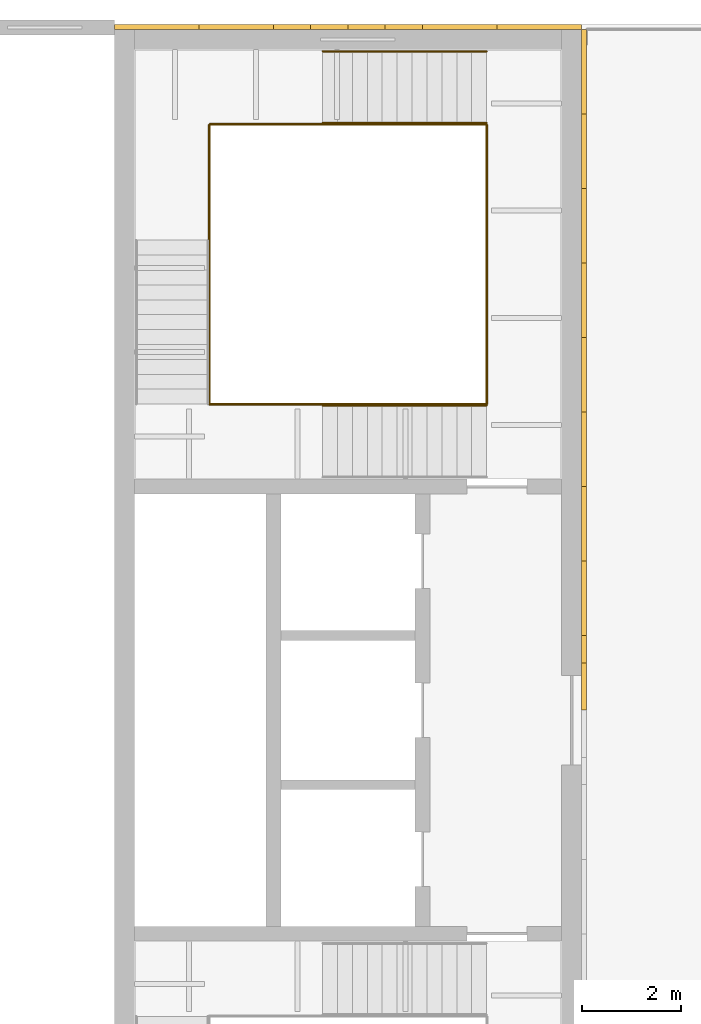
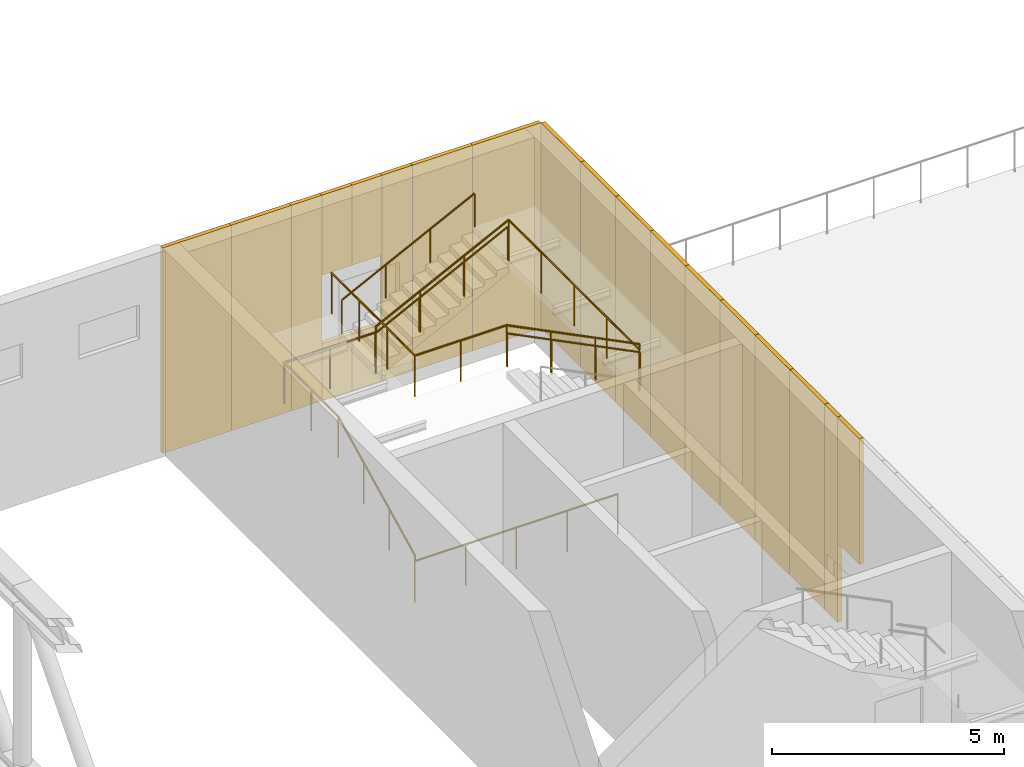
# One storey, part 28 of 29: 20 coverings, 4 railings.
"""IFC4 building model written with IfcOpenShell, lengths in metres."""

from ifc_helpers import new_model, si_unit, direction, frame, origin, origin_2d, place, context, subcontext, project, spatial, rectangle, circle, extrude, material, layer, layer_set, type_object, element, save


model = new_model("IFC4")

# Units and contexts
model_context = context("Model", 3, precision=1e-05, world=origin(), true_north=direction((0.0, 1.0)))
body_context = subcontext(model_context, "Body", "Model", "MODEL_VIEW")
ifc_project = project(units=[si_unit("LENGTHUNIT", "METRE"), si_unit("AREAUNIT", "SQUARE_METRE"), si_unit("VOLUMEUNIT", "CUBIC_METRE"), si_unit("PLANEANGLEUNIT", "RADIAN"), si_unit("MASSUNIT", "GRAM", prefix="KILO")], contexts=[model_context])

# Site, building, storey
site_placement = place(None, origin())
site = spatial("IfcSite", under=ifc_project, at=site_placement, CompositionType="ELEMENT")
building_placement = place(site_placement, origin())
building = spatial("IfcBuilding", under=site, at=building_placement, Name="Azimuth Sports and Learning Centre", CompositionType="ELEMENT")
storey_placement = place(building_placement, frame((0.0, 0.0, 27.0)))
storey = spatial("IfcBuildingStorey", under=building, at=storey_placement, Name="L05", CompositionType="ELEMENT", Elevation=27.0)

# Coverings
ifc_material_1 = material(Name="Cladding panel")
ifc_layer = layer(ifc_material_1, 0.10009765625)
ifc_layer_set = layer_set([ifc_layer], Name="Cladding panel")
covering_type = type_object("IfcCoveringType", Name="Cladding panel 100", PredefinedType="CLADDING", material=ifc_layer_set)
covering_1_placement = place(storey_placement, frame((117.25, 103.97509765625, 2.10009765625), z_axis=(0.0, 0.0, 1.0), x_axis=(0.0, 1.0, 0.0)))
element("IfcCovering", 1, at=covering_1_placement, inside=storey, type_object=covering_type, Name="Cladding panel E-CORE E L05 11", PredefinedType="CLADDING", context=body_context, shape_type="SweptSolid", body=[
    extrude(rectangle(XDim=0.949951171875, YDim=0.10009765625, at=origin_2d()), origin(), (0.0, 0.0, 1.0), 3.300048828125),
])
covering_2_placement = place(storey_placement, frame((117.25, 104.72509765625, 0.0), z_axis=(0.0, 0.0, 1.0), x_axis=(0.0, 1.0, 0.0)))
element("IfcCovering", 2, at=covering_2_placement, inside=storey, type_object=covering_type, Name="Cladding panel E-CORE E L05 12", PredefinedType="CLADDING", context=body_context, shape_type="SweptSolid", body=[
    extrude(rectangle(XDim=0.550048828125, YDim=0.10009765625, at=origin_2d()), origin(), (0.0, 0.0, 1.0), 5.39990234375),
])
for number, where, z_axis, x_axis, name in (
    (3, (117.25, 105.75, 0.0), (0.0, 0.0, 1.0), (0.0, 1.0, 0.0), "Cladding panel E-CORE E L05 13"),
    (4, (117.25, 107.25, 0.0), (0.0, 0.0, 1.0), (0.0, 1.0, 0.0), "Cladding panel E-CORE E L05 14"),
    (5, (117.25, 108.75, 0.0), (0.0, 0.0, 1.0), (0.0, 1.0, 0.0), "Cladding panel E-CORE E L05 15"),
    (6, (117.25, 110.25, 0.0), (0.0, 0.0, 1.0), (0.0, 1.0, 0.0), "Cladding panel E-CORE E L05 16"),
    (7, (117.25, 111.75, 0.0), (0.0, 0.0, 1.0), (0.0, 1.0, 0.0), "Cladding panel E-CORE E L05 17"),
    (8, (117.25, 113.25, 0.0), (0.0, 0.0, 1.0), (0.0, 1.0, 0.0), "Cladding panel E-CORE E L05 18"),
    (9, (117.25, 114.75, 0.0), (0.0, 0.0, 1.0), (0.0, 1.0, 0.0), "Cladding panel E-CORE E L05 19"),
):
    element("IfcCovering", number, at=place(storey_placement, frame(where, z_axis=z_axis, x_axis=x_axis)), inside=storey, type_object=covering_type, Name=name, PredefinedType="CLADDING", context=body_context, shape_type="SweptSolid", body=[
        extrude(rectangle(XDim=1.5, YDim=0.10009765625, at=origin_2d()), origin(), (0.0, 0.0, 1.0), 5.39990234375),
    ])
for number, where, z_axis, x_axis, name in (
    (10, (117.25, 116.35009765625, 0.0), (0.0, 0.0, 1.0), (0.0, 1.0, 0.0), "Cladding panel E-CORE E L05 20"),
    (11, (116.35009765625, 117.25, 0.0), (0.0, 0.0, 1.0), (-1.0, 0.0, 0.0), "Cladding panel N-CORE E L05 1"),
):
    element("IfcCovering", number, at=place(storey_placement, frame(where, z_axis=z_axis, x_axis=x_axis)), inside=storey, type_object=covering_type, Name=name, PredefinedType="CLADDING", context=body_context, shape_type="SweptSolid", body=[
        extrude(rectangle(XDim=1.699951171875, YDim=0.10009765625, at=origin_2d()), origin(), (0.0, 0.0, 1.0), 5.39990234375),
    ])
covering_3_placement = place(storey_placement, frame((114.75, 117.25, 0.0), z_axis=(0.0, 0.0, 1.0), x_axis=(-1.0, 0.0, 0.0)))
element("IfcCovering", 12, at=covering_3_placement, inside=storey, type_object=covering_type, Name="Cladding panel N-CORE E L05 2", PredefinedType="CLADDING", context=body_context, shape_type="SweptSolid", body=[
    extrude(rectangle(XDim=1.5, YDim=0.10009765625, at=origin_2d()), origin(), (0.0, 0.0, 1.0), 5.39990234375),
])
covering_4_placement = place(storey_placement, frame((113.625, 117.25, 0.0), z_axis=(0.0, 0.0, 1.0), x_axis=(-1.0, 0.0, 0.0)))
element("IfcCovering", 13, at=covering_4_placement, inside=storey, type_object=covering_type, Name="Cladding panel N-CORE E L05 3", PredefinedType="CLADDING", context=body_context, shape_type="SweptSolid", body=[
    extrude(rectangle(XDim=0.75, YDim=0.10009765625, at=origin_2d()), origin(), (0.0, 0.0, 1.0), 5.39990234375),
])
covering_5_placement = place(storey_placement, frame((112.875, 117.25, 0.0), z_axis=(0.0, 0.0, 1.0), x_axis=(-1.0, 0.0, 0.0)))
element("IfcCovering", 14, at=covering_5_placement, inside=storey, type_object=covering_type, Name="Cladding panel N-CORE E L05 4", PredefinedType="CLADDING", context=body_context, shape_type="SweptSolid", body=[
    extrude(rectangle(XDim=0.75, YDim=0.10009765625, at=origin_2d()), origin(), (0.0, 0.0, 1.0), 1.5),
])
covering_6_placement = place(storey_placement, frame((112.875, 117.25, 3.300048828125), z_axis=(0.0, 0.0, 1.0), x_axis=(-1.0, 0.0, 0.0)))
element("IfcCovering", 15, at=covering_6_placement, inside=storey, type_object=covering_type, Name="Cladding panel N-CORE E L05 5", PredefinedType="CLADDING", context=body_context, shape_type="SweptSolid", body=[
    extrude(rectangle(XDim=0.75, YDim=0.10009765625, at=origin_2d()), origin(), (0.0, 0.0, 1.0), 2.10009765625),
])
covering_7_placement = place(storey_placement, frame((111.375, 117.25, 0.0), z_axis=(0.0, 0.0, 1.0), x_axis=(-1.0, 0.0, 0.0)))
element("IfcCovering", 16, at=covering_7_placement, inside=storey, type_object=covering_type, Name="Cladding panel N-CORE E L05 6", PredefinedType="CLADDING", context=body_context, shape_type="SweptSolid", body=[
    extrude(rectangle(XDim=0.75, YDim=0.10009765625, at=origin_2d()), origin(), (0.0, 0.0, 1.0), 5.39990234375),
])
covering_8_placement = place(storey_placement, frame((112.125, 117.25, 0.0), z_axis=(0.0, 0.0, 1.0), x_axis=(-1.0, 0.0, 0.0)))
element("IfcCovering", 17, at=covering_8_placement, inside=storey, type_object=covering_type, Name="Cladding panel N-CORE E L05 7", PredefinedType="CLADDING", context=body_context, shape_type="SweptSolid", body=[
    extrude(rectangle(XDim=0.75, YDim=0.10009765625, at=origin_2d()), origin(), (0.0, 0.0, 1.0), 1.5),
])
covering_9_placement = place(storey_placement, frame((112.125, 117.25, 3.300048828125), z_axis=(0.0, 0.0, 1.0), x_axis=(-1.0, 0.0, 0.0)))
element("IfcCovering", 18, at=covering_9_placement, inside=storey, type_object=covering_type, Name="Cladding panel N-CORE E L05 8", PredefinedType="CLADDING", context=body_context, shape_type="SweptSolid", body=[
    extrude(rectangle(XDim=0.75, YDim=0.10009765625, at=origin_2d()), origin(), (0.0, 0.0, 1.0), 2.10009765625),
])
covering_10_placement = place(storey_placement, frame((110.25, 117.25, 0.0), z_axis=(0.0, 0.0, 1.0), x_axis=(-1.0, 0.0, 0.0)))
element("IfcCovering", 19, at=covering_10_placement, inside=storey, type_object=covering_type, Name="Cladding panel N-CORE E L05 9", PredefinedType="CLADDING", context=body_context, shape_type="SweptSolid", body=[
    extrude(rectangle(XDim=1.5, YDim=0.10009765625, at=origin_2d()), origin(), (0.0, 0.0, 1.0), 5.39990234375),
])
covering_11_placement = place(storey_placement, frame((108.64990234375, 117.25, 0.0), z_axis=(0.0, 0.0, 1.0), x_axis=(-1.0, 0.0, 0.0)))
element("IfcCovering", 20, at=covering_11_placement, inside=storey, type_object=covering_type, Name="Cladding panel N-CORE E L05 10", PredefinedType="CLADDING", context=body_context, shape_type="SweptSolid", body=[
    extrude(rectangle(XDim=1.699951171875, YDim=0.10009765625, at=origin_2d()), origin(), (0.0, 0.0, 1.0), 5.39990234375),
])

# Railings
ifc_material_2 = material(Name="Stainless steel", Category="steel")
railing_type_1 = type_object("IfcRailingType", Name="Stair guard 1100", PredefinedType="GUARDRAIL", material=ifc_material_2)
railing_1_placement = place(storey_placement, frame((114.75, 109.659912109375, 0.0)))
element("IfcRailing", 21, at=railing_1_placement, inside=storey, type_object=railing_type_1, Name="Guard E2 L05 well", PredefinedType="GUARDRAIL", context=body_context, shape_type="SweptSolid", body=[
    extrude(circle(Radius=0.02392578125, at=origin_2d()), frame((0.0, 0.0, 1.076171875), z_axis=(-1.0, 0.0, 0.0), x_axis=(0.0, -1.0, 0.0)), (0.0, 0.0, 1.0), 5.0400390625),
    extrude(circle(Radius=0.02392578125, at=origin_2d()), frame((-5.0400390625, 0.0, 1.076171875), z_axis=(0.0, 0.0, 1.0), x_axis=(1.0, 0.0, 0.0)), (0.0, 0.0, 1.0), 0.14990234375),
    extrude(circle(Radius=0.02392578125, at=origin_2d()), frame((-5.0400390625, 0.0, 1.22607421875), z_axis=(0.0, 0.894413956696, 0.447240063129), x_axis=(-1.0, 0.0, 0.0)), (0.0, 0.0, 1.0), 3.689697265625),
    extrude(circle(Radius=0.02392578125, at=origin_2d()), frame((-5.0400390625, 3.300048828125, 2.8759765625), z_axis=(0.0, 1.0, 0.0), x_axis=(-1.0, 0.0, 0.0)), (0.0, 0.0, 1.0), 2.330078125),
    extrude(circle(Radius=0.02392578125, at=origin_2d()), frame((-5.0400390625, 5.630126953125, 2.8759765625), z_axis=(1.0, 0.0, 0.0), x_axis=(0.0, 1.0, 0.0)), (0.0, 0.0, 1.0), 2.280029296875),
    extrude(circle(Radius=0.02392578125, at=origin_2d()), frame((-2.760009765625, 5.630126953125, 2.8759765625), z_axis=(0.0, 0.0, 1.0), x_axis=(1.0, 0.0, 0.0)), (0.0, 0.0, 1.0), 0.14990234375),
    extrude(circle(Radius=0.02392578125, at=origin_2d()), frame((-2.760009765625, 5.630126953125, 3.02587890625), z_axis=(0.894413956696, 0.0, 0.447240063129), x_axis=(0.0, 1.0, 0.0)), (0.0, 0.0, 1.0), 3.689697265625),
    extrude(circle(Radius=0.02392578125, at=origin_2d()), frame((0.5400390625, 5.630126953125, 4.67626953125), z_axis=(0.0, -1.0, 0.0), x_axis=(1.0, 0.0, 0.0)), (0.0, 0.0, 1.0), 5.630126953125),
    extrude(circle(Radius=0.02392578125, at=origin_2d()), frame((0.5400390625, 0.0, 4.67626953125), z_axis=(0.0, 0.0, 1.0), x_axis=(1.0, 0.0, 0.0)), (0.0, 0.0, 1.0), 0.14990234375),
    extrude(circle(Radius=0.02392578125, at=origin_2d()), frame((0.5400390625, 0.0, 4.826171875), z_axis=(-0.894440424912, 0.0, 0.447187126696), x_axis=(0.0, -1.0, 0.0)), (0.0, 0.0, 1.0), 3.689453125),
    extrude(circle(Radius=0.02392578125, at=origin_2d()), frame((-2.760009765625, 0.0, 6.47607421875), z_axis=(-1.0, 0.0, 0.0), x_axis=(0.0, -1.0, 0.0)), (0.0, 0.0, 1.0), 2.280029296875),
    extrude(circle(Radius=0.02392578125, at=origin_2d()), frame((-5.0400390625, 0.0, 6.47607421875), z_axis=(0.0, 1.0, 0.0), x_axis=(-1.0, 0.0, 0.0)), (0.0, 0.0, 1.0), 3.590087890625),
    extrude(circle(Radius=0.01611328125, at=origin_2d()), origin(), (0.0, 0.0, 1.0), 1.052001953125),
    extrude(circle(Radius=0.01611328125, at=origin_2d()), frame((-1.260009765625, 0.0, 0.0)), (0.0, 0.0, 1.0), 1.052001953125),
    extrude(circle(Radius=0.01611328125, at=origin_2d()), frame((-2.52001953125, 0.0, 0.0)), (0.0, 0.0, 1.0), 1.052001953125),
    extrude(circle(Radius=0.01611328125, at=origin_2d()), frame((-3.780029296875, 0.0, 0.0)), (0.0, 0.0, 1.0), 1.052001953125),
    extrude(circle(Radius=0.01611328125, at=origin_2d()), frame((-5.0400390625, 0.0, 0.0)), (0.0, 0.0, 1.0), 1.052001953125),
    extrude(circle(Radius=0.01611328125, at=origin_2d()), frame((-5.0400390625, 0.0, 0.14990234375)), (0.0, 0.0, 1.0), 1.052001953125),
    extrude(circle(Radius=0.01611328125, at=origin_2d()), frame((-5.0400390625, 1.10009765625, 0.699951171875)), (0.0, 0.0, 1.0), 1.052001953125),
    extrude(circle(Radius=0.01611328125, at=origin_2d()), frame((-5.0400390625, 2.199951171875, 1.25)), (0.0, 0.0, 1.0), 1.052001953125),
    extrude(circle(Radius=0.01611328125, at=origin_2d()), frame((-5.0400390625, 3.300048828125, 1.800048828125)), (0.0, 0.0, 1.0), 1.052001953125),
    extrude(circle(Radius=0.01611328125, at=origin_2d()), frame((-5.0400390625, 4.465087890625, 1.800048828125)), (0.0, 0.0, 1.0), 1.052001953125),
    extrude(circle(Radius=0.01611328125, at=origin_2d()), frame((-5.0400390625, 5.630126953125, 1.800048828125)), (0.0, 0.0, 1.0), 1.052001953125),
    extrude(circle(Radius=0.01611328125, at=origin_2d()), frame((-3.89990234375, 5.630126953125, 1.800048828125)), (0.0, 0.0, 1.0), 1.052001953125),
    extrude(circle(Radius=0.01611328125, at=origin_2d()), frame((-2.760009765625, 5.630126953125, 1.800048828125)), (0.0, 0.0, 1.0), 1.052001953125),
    extrude(circle(Radius=0.01611328125, at=origin_2d()), frame((-2.760009765625, 5.630126953125, 1.949951171875)), (0.0, 0.0, 1.0), 1.052001953125),
    extrude(circle(Radius=0.01611328125, at=origin_2d()), frame((-1.659912109375, 5.630126953125, 2.5)), (0.0, 0.0, 1.0), 1.052001953125),
    extrude(circle(Radius=0.01611328125, at=origin_2d()), frame((-0.56005859375, 5.630126953125, 3.050048828125)), (0.0, 0.0, 1.0), 1.052001953125),
    extrude(circle(Radius=0.01611328125, at=origin_2d()), frame((0.5400390625, 5.630126953125, 3.60009765625)), (0.0, 0.0, 1.0), 1.052001953125),
    extrude(circle(Radius=0.01611328125, at=origin_2d()), frame((0.5400390625, 4.22265625, 3.60009765625)), (0.0, 0.0, 1.0), 1.052001953125),
    extrude(circle(Radius=0.01611328125, at=origin_2d()), frame((0.5400390625, 2.81494140625, 3.60009765625)), (0.0, 0.0, 1.0), 1.052001953125),
    extrude(circle(Radius=0.01611328125, at=origin_2d()), frame((0.5400390625, 1.407470703125, 3.60009765625)), (0.0, 0.0, 1.0), 1.052001953125),
    extrude(circle(Radius=0.01611328125, at=origin_2d()), frame((0.5400390625, 0.0, 3.60009765625)), (0.0, 0.0, 1.0), 1.052001953125),
    extrude(circle(Radius=0.01611328125, at=origin_2d()), frame((0.5400390625, 0.0, 3.75)), (0.0, 0.0, 1.0), 1.052001953125),
    extrude(circle(Radius=0.01611328125, at=origin_2d()), frame((-0.56005859375, 0.0, 4.300048828125)), (0.0, 0.0, 1.0), 1.052001953125),
    extrude(circle(Radius=0.01611328125, at=origin_2d()), frame((-1.659912109375, 0.0, 4.849853515625)), (0.0, 0.0, 1.0), 1.052001953125),
    extrude(circle(Radius=0.01611328125, at=origin_2d()), frame((-2.760009765625, 0.0, 5.39990234375)), (0.0, 0.0, 1.0), 1.052001953125),
    extrude(circle(Radius=0.01611328125, at=origin_2d()), frame((-3.89990234375, 0.0, 5.39990234375)), (0.0, 0.0, 1.0), 1.052001953125),
    extrude(circle(Radius=0.01611328125, at=origin_2d()), frame((-5.0400390625, 0.0, 5.39990234375)), (0.0, 0.0, 1.0), 1.052001953125),
    extrude(circle(Radius=0.01611328125, at=origin_2d()), frame((-5.0400390625, 1.19677734375, 5.39990234375)), (0.0, 0.0, 1.0), 1.052001953125),
    extrude(circle(Radius=0.01611328125, at=origin_2d()), frame((-5.0400390625, 2.393310546875, 5.39990234375)), (0.0, 0.0, 1.0), 1.052001953125),
    extrude(circle(Radius=0.01611328125, at=origin_2d()), frame((-5.0400390625, 3.590087890625, 5.39990234375)), (0.0, 0.0, 1.0), 1.052001953125),
])
ifc_material_3 = material(Name="Stainless steel", Category="steel")
railing_type_2 = type_object("IfcRailingType", Name="Stair handrail 42", PredefinedType="HANDRAIL", material=ifc_material_3)
for number, where, name in (
    (22, (111.989990234375, 115.320068359375, 1.949951171875), "Handrail E2 L05 flight 2 inner"),
    (23, (111.989990234375, 116.760009765625, 1.949951171875), "Handrail E2 L05 flight 2 outer"),
):
    element("IfcRailing", number, at=place(storey_placement, frame(where)), inside=storey, type_object=railing_type_2, Name=name, PredefinedType="HANDRAIL", context=body_context, shape_type="SweptSolid", body=[
        extrude(circle(Radius=0.02099609375, at=origin_2d()), frame((0.0, 0.0, 0.87890625), z_axis=(0.894413956696, 0.0, 0.447240063129), x_axis=(0.0, 1.0, 0.0)), (0.0, 0.0, 1.0), 3.689697265625),
        extrude(circle(Radius=0.01611328125, at=origin_2d()), origin(), (0.0, 0.0, 1.0), 0.85791015625),
        extrude(circle(Radius=0.01611328125, at=origin_2d()), frame((1.10009765625, 0.0, 0.550048828125)), (0.0, 0.0, 1.0), 0.85791015625),
        extrude(circle(Radius=0.01611328125, at=origin_2d()), frame((2.199951171875, 0.0, 1.10009765625)), (0.0, 0.0, 1.0), 0.85791015625),
        extrude(circle(Radius=0.01611328125, at=origin_2d()), frame((3.300048828125, 0.0, 1.650146484375)), (0.0, 0.0, 1.0), 0.85791015625),
    ])
railing_2_placement = place(storey_placement, frame((115.2900390625, 109.6298828125, 3.75)))
element("IfcRailing", 24, at=railing_2_placement, inside=storey, type_object=railing_type_2, Name="Handrail E2 L05 flight 3 inner", PredefinedType="HANDRAIL", context=body_context, shape_type="SweptSolid", body=[
    extrude(circle(Radius=0.02099609375, at=origin_2d()), frame((0.0, 0.0, 0.87890625), z_axis=(-0.894440424912, 0.0, 0.447187126696), x_axis=(0.0, -1.0, 0.0)), (0.0, 0.0, 1.0), 3.689453125),
    extrude(circle(Radius=0.01611328125, at=origin_2d()), origin(), (0.0, 0.0, 1.0), 0.85791015625),
    extrude(circle(Radius=0.01611328125, at=origin_2d()), frame((-1.10009765625, 0.0, 0.550048828125)), (0.0, 0.0, 1.0), 0.85791015625),
    extrude(circle(Radius=0.01611328125, at=origin_2d()), frame((-2.199951171875, 0.0, 1.099853515625)), (0.0, 0.0, 1.0), 0.85791015625),
    extrude(circle(Radius=0.01611328125, at=origin_2d()), frame((-3.300048828125, 0.0, 1.64990234375)), (0.0, 0.0, 1.0), 0.85791015625),
])

save(model, "model.ifc")
